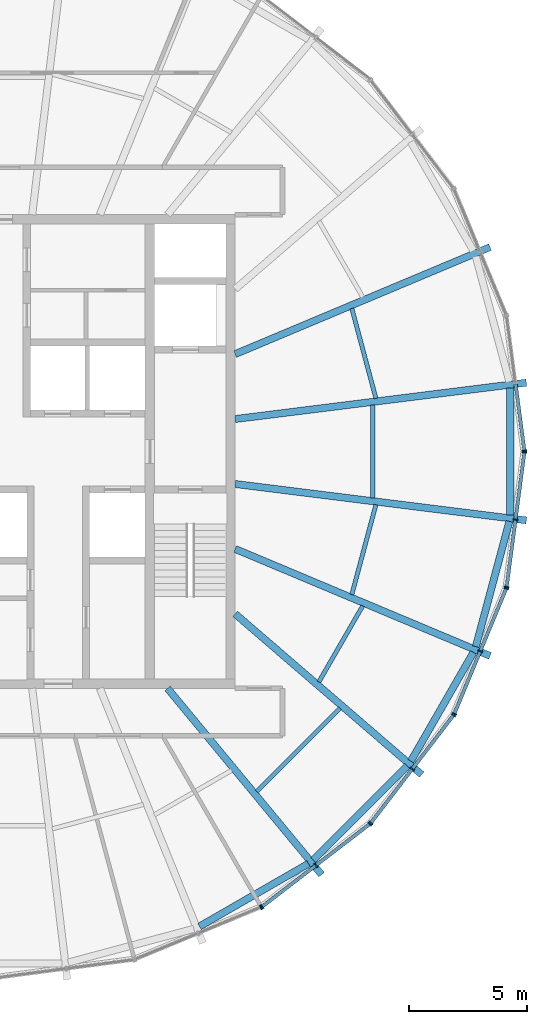
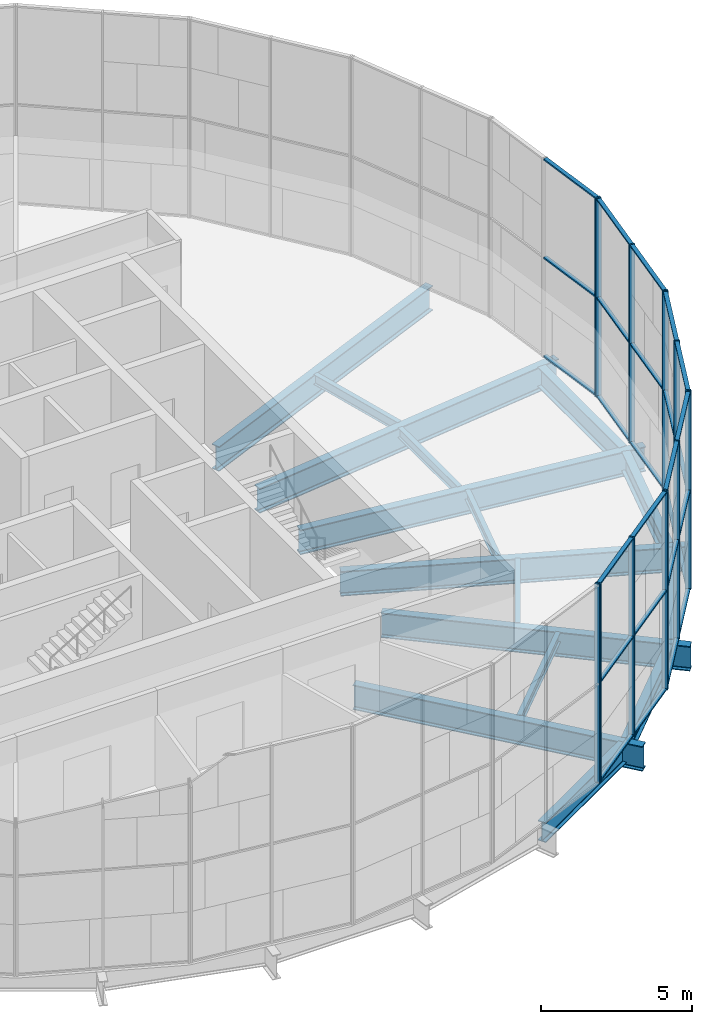
# One storey, part 4 of 19: 41 members, 16 beams, 6 elements without a shape of their own.
"""IFC4 building model written with IfcOpenShell, lengths in metres."""

from ifc_helpers import new_model, si_unit, direction, frame, origin, origin_2d, place, context, subcontext, project, spatial, rectangle, i_section, extrude, material, material_profile, profile_set, type_object, element, aggregate, save


model = new_model("IFC4")

# Units and contexts
model_context = context("Model", 3, precision=1e-05, world=origin(), true_north=direction((0.0, 1.0)))
body_context = subcontext(model_context, "Body", "Model", "MODEL_VIEW")
ifc_project = project(units=[si_unit("LENGTHUNIT", "METRE"), si_unit("AREAUNIT", "SQUARE_METRE"), si_unit("VOLUMEUNIT", "CUBIC_METRE"), si_unit("PLANEANGLEUNIT", "RADIAN"), si_unit("MASSUNIT", "GRAM", prefix="KILO")], contexts=[model_context])

# Site, building, storey
site_placement = place(None, origin())
site = spatial("IfcSite", under=ifc_project, at=site_placement, CompositionType="ELEMENT")
building_placement = place(site_placement, origin())
building = spatial("IfcBuilding", under=site, at=building_placement, Name="Golbaran Civic Tower", CompositionType="ELEMENT")
storey_placement = place(building_placement, frame((0.0, 0.0, 256.0)))
storey = spatial("IfcBuildingStorey", under=building, at=storey_placement, Name="L62", CompositionType="ELEMENT", Elevation=256.0)

# Beams
ifc_material_1 = material(Name="Steel S355", Category="steel")
ifc_material_profile_1 = material_profile(ifc_material_1, i_section(OverallWidth=0.300048828125, OverallDepth=0.800048828125, WebThickness=0.017578125, FlangeThickness=0.032958984375, FilletRadius=0.030029296875, at=origin_2d()), Name="HEB 800")
ifc_profile_set_1 = profile_set([ifc_material_profile_1], Name="Steel S355")
beam_type_1 = type_object("IfcBeamType", Name="EDGE BEAM HEB 800", PredefinedType="BEAM", material=ifc_profile_set_1)
beam_1_placement = place(storey_placement, frame((8.491943359375, -20.052490234375, -0.60009765625), z_axis=(0.866418166458, 0.499319097203, 0.0), x_axis=(-0.499319097203, 0.866418166458, 0.0)))
element("IfcBeam", 1, at=beam_1_placement, inside=storey, type_object=beam_type_1, Name="Edge beam 292.58 L62", PredefinedType="BEAM", context=body_context, shape_type="SweptSolid", body=[
    extrude(i_section(OverallWidth=0.300048828125, OverallDepth=0.800048828125, WebThickness=0.017578125, FlangeThickness=0.032958984375, FilletRadius=0.030029296875, at=origin_2d()), origin(), (0.0, 0.0, 1.0), 5.310546875),
])
beam_2_placement = place(storey_placement, frame((13.299560546875, -17.24267578125, -0.60009765625), z_axis=(0.706714343881, 0.707499000814, 0.0), x_axis=(-0.707499000814, 0.706714343881, 0.0)))
element("IfcBeam", 2, at=beam_2_placement, inside=storey, type_object=beam_type_1, Name="Edge beam 307.42 L62", PredefinedType="BEAM", context=body_context, shape_type="SweptSolid", body=[
    extrude(i_section(OverallWidth=0.300048828125, OverallDepth=0.800048828125, WebThickness=0.017578125, FlangeThickness=0.032958984375, FilletRadius=0.030029296875, at=origin_2d()), origin(), (0.0, 0.0, 1.0), 5.6005859375),
])
beam_3_placement = place(storey_placement, frame((17.41552734375, -13.0732421875, -0.60009765625), z_axis=(0.498581864812, 0.866842617827, 0.0), x_axis=(-0.866842617827, 0.498581864812, 0.0)))
element("IfcBeam", 3, at=beam_3_placement, inside=storey, type_object=beam_type_1, Name="Edge beam 322.58 L62", PredefinedType="BEAM", context=body_context, shape_type="SweptSolid", body=[
    extrude(i_section(OverallWidth=0.300048828125, OverallDepth=0.800048828125, WebThickness=0.017578125, FlangeThickness=0.032958984375, FilletRadius=0.030029296875, at=origin_2d()), origin(), (0.0, 0.0, 1.0), 5.3017578125),
])
beam_4_placement = place(storey_placement, frame((20.157958984375, -8.237060546875, -0.60009765625), z_axis=(0.258897277861, 0.965904860489, 0.0), x_axis=(-0.965904860489, 0.258897277861, 0.0)))
element("IfcBeam", 4, at=beam_4_placement, inside=storey, type_object=beam_type_1, Name="Edge beam 337.42 L62", PredefinedType="BEAM", context=body_context, shape_type="SweptSolid", body=[
    extrude(i_section(OverallWidth=0.300048828125, OverallDepth=0.800048828125, WebThickness=0.017578125, FlangeThickness=0.032958984375, FilletRadius=0.030029296875, at=origin_2d()), origin(), (0.0, 0.0, 1.0), 5.47607421875),
])
beam_5_placement = place(storey_placement, frame((21.609619140625, -2.68994140625, -0.60009765625), z_axis=(0.0, 1.0, 0.0), x_axis=(-1.0, 0.0, 0.0)))
element("IfcBeam", 5, at=beam_5_placement, inside=storey, type_object=beam_type_1, Name="Edge beam 352.58 L62", PredefinedType="BEAM", context=body_context, shape_type="SweptSolid", body=[
    extrude(i_section(OverallWidth=0.300048828125, OverallDepth=0.800048828125, WebThickness=0.017578125, FlangeThickness=0.032958984375, FilletRadius=0.030029296875, at=origin_2d()), origin(), (0.0, 0.0, 1.0), 5.3798828125),
])
ifc_material_profile_2 = material_profile(ifc_material_1, i_section(OverallWidth=0.179931640625, OverallDepth=0.39990234375, WebThickness=0.008544921875, FlangeThickness=0.013427734375, FilletRadius=0.02099609375, at=origin_2d()), Name="IPE 400")
ifc_profile_set_2 = profile_set([ifc_material_profile_2], Name="Steel S355")
beam_type_2 = type_object("IfcBeamType", Name="FLOOR INFILL BEAM IPE 400", PredefinedType="BEAM", material=ifc_profile_set_2)
beam_6_placement = place(storey_placement, frame((15.9404296875, 2.244140625, -0.39990234375), z_axis=(-0.258830285258, 0.965922814428, 0.0), x_axis=(-0.965922814428, -0.258830285258, 0.0)))
element("IfcBeam", 6, at=beam_6_placement, inside=storey, type_object=beam_type_2, Name="Infill beam 15.00 L62", PredefinedType="BEAM", context=body_context, shape_type="SweptSolid", body=[
    extrude(i_section(OverallWidth=0.179931640625, OverallDepth=0.39990234375, WebThickness=0.008544921875, FlangeThickness=0.013427734375, FilletRadius=0.02099609375, at=origin_2d()), origin(), (0.0, 0.0, 1.0), 3.929443359375),
])
beam_7_placement = place(storey_placement, frame((10.913330078125, -14.356689453125, -0.39990234375), z_axis=(0.707106781187, 0.707106781187, 0.0), x_axis=(-0.707106781187, 0.707106781187, 0.0)))
element("IfcBeam", 7, at=beam_7_placement, inside=storey, type_object=beam_type_2, Name="Infill beam 315.00 L62", PredefinedType="BEAM", context=body_context, shape_type="SweptSolid", body=[
    extrude(i_section(OverallWidth=0.179931640625, OverallDepth=0.39990234375, WebThickness=0.008544921875, FlangeThickness=0.013427734375, FilletRadius=0.02099609375, at=origin_2d()), origin(), (0.0, 0.0, 1.0), 4.9697265625),
])
beam_8_placement = place(storey_placement, frame((13.5302734375, -9.7265625, -0.39990234375), z_axis=(0.500005526257, 0.866022213175, 0.0), x_axis=(-0.866022213175, 0.500005526257, 0.0)))
element("IfcBeam", 8, at=beam_8_placement, inside=storey, type_object=beam_type_2, Name="Infill beam 330.00 L62", PredefinedType="BEAM", context=body_context, shape_type="SweptSolid", body=[
    extrude(i_section(OverallWidth=0.179931640625, OverallDepth=0.39990234375, WebThickness=0.008544921875, FlangeThickness=0.013427734375, FilletRadius=0.02099609375, at=origin_2d()), origin(), (0.0, 0.0, 1.0), 3.7080078125),
])
beam_9_placement = place(storey_placement, frame((14.92333984375, -6.039794921875, -0.39990234375), z_axis=(0.258830285258, 0.965922814428, 0.0), x_axis=(-0.965922814428, 0.258830285258, 0.0)))
element("IfcBeam", 9, at=beam_9_placement, inside=storey, type_object=beam_type_2, Name="Infill beam 345.00 L62", PredefinedType="BEAM", context=body_context, shape_type="SweptSolid", body=[
    extrude(i_section(OverallWidth=0.179931640625, OverallDepth=0.39990234375, WebThickness=0.008544921875, FlangeThickness=0.013427734375, FilletRadius=0.02099609375, at=origin_2d()), origin(), (0.0, 0.0, 1.0), 3.929443359375),
])
beam_10_placement = place(storey_placement, frame((15.8046875, -1.96533203125, -0.39990234375), z_axis=(0.0, 1.0, 0.0), x_axis=(-1.0, 0.0, 0.0)))
element("IfcBeam", 10, at=beam_10_placement, inside=storey, type_object=beam_type_2, Name="Infill beam 0.00 L62", PredefinedType="BEAM", context=body_context, shape_type="SweptSolid", body=[
    extrude(i_section(OverallWidth=0.179931640625, OverallDepth=0.39990234375, WebThickness=0.008544921875, FlangeThickness=0.013427734375, FilletRadius=0.02099609375, at=origin_2d()), origin(), (0.0, 0.0, 1.0), 3.9306640625),
])

# Curtain wall, member
ifc_material_2 = material(Name="Aluminium and glass", Category="aluminium")
curtain_wall_type = type_object("IfcCurtainWallType", Name="INNER SKIN CURTAIN WALL EXECUTIVE", PredefinedType="NOTDEFINED", material=ifc_material_2)
curtain_wall_1_placement = place(storey_placement, origin())
curtain_wall_1 = element("IfcCurtainWall", 11, at=curtain_wall_1_placement, inside=storey, type_object=curtain_wall_type, Name="Inner skin L62 facet 1 CW2", ObjectType="INNER SKIN", PredefinedType="USERDEFINED")
ifc_material_3 = material(Name="Aluminium", Category="aluminium")
ifc_material_profile_3 = material_profile(ifc_material_3, rectangle(XDim=0.199951171875, YDim=0.06005859375, at=origin_2d()), Name="INNER SKIN CURTAIN WALL EXECUTIVE MULLION")
ifc_profile_set_3 = profile_set([ifc_material_profile_3], Name="Aluminium")
member_type_1 = type_object("IfcMemberType", Name="INNER SKIN CURTAIN WALL EXECUTIVE MULLION", PredefinedType="MULLION", material=ifc_profile_set_3)
member_1_placement = place(storey_placement, frame((22.208984375, 0.02978515625, 0.0), z_axis=(0.0, 0.0, 1.0), x_axis=(-0.991444861367, -0.130526192272, 0.0)))
member_1 = element("IfcMember", 12, at=member_1_placement, type_object=member_type_1, Name="CW2 mullion 1", PredefinedType="MULLION", context=body_context, shape_type="SweptSolid", body=[
    extrude(rectangle(XDim=0.199951171875, YDim=0.06005859375, at=origin_2d()), origin(), (0.0, 0.0, 1.0), 8.0),
])

curtain_wall_2_placement = place(storey_placement, origin())
curtain_wall_2 = element("IfcCurtainWall", 13, at=curtain_wall_2_placement, inside=storey, type_object=curtain_wall_type, Name="Inner skin L62 facet 20 CW2", ObjectType="INNER SKIN", PredefinedType="USERDEFINED")
member_2_placement = place(storey_placement, frame((11.078857421875, -19.24853515625, 0.0), z_axis=(0.0, 0.0, 1.0), x_axis=(-0.382683432365, 0.923879532511, 0.0)))
member_2 = element("IfcMember", 14, at=member_2_placement, type_object=member_type_1, Name="CW2 mullion 3", PredefinedType="MULLION", context=body_context, shape_type="SweptSolid", body=[
    extrude(rectangle(XDim=0.199951171875, YDim=0.06005859375, at=origin_2d()), origin(), (0.0, 0.0, 1.0), 8.0),
])
aggregate(curtain_wall_2, [member_2])

# Curtain wall, members
curtain_wall_3_placement = place(storey_placement, origin())
curtain_wall_3 = element("IfcCurtainWall", 15, at=curtain_wall_3_placement, inside=storey, type_object=curtain_wall_type, Name="Inner skin L62 facet 21 CW2", ObjectType="INNER SKIN", PredefinedType="USERDEFINED")
member_3_placement = place(storey_placement, frame((11.13037109375, -19.21875, 0.0), z_axis=(0.0, 0.0, 1.0), x_axis=(-0.608761429078, 0.793353340238, 0.0)))
member_3 = element("IfcMember", 16, at=member_3_placement, type_object=member_type_1, Name="CW2 mullion 1", PredefinedType="MULLION", context=body_context, shape_type="SweptSolid", body=[
    extrude(rectangle(XDim=0.199951171875, YDim=0.06005859375, at=origin_2d()), origin(), (0.0, 0.0, 1.0), 8.0),
])
member_4_placement = place(storey_placement, frame((13.40673828125, -17.471923828125, 0.0), z_axis=(0.0, 0.0, 1.0), x_axis=(-0.608761429078, 0.793353340238, 0.0)))
member_4 = element("IfcMember", 17, at=member_4_placement, type_object=member_type_1, Name="CW2 mullion 2", PredefinedType="MULLION", context=body_context, shape_type="SweptSolid", body=[
    extrude(rectangle(XDim=0.199951171875, YDim=0.06005859375, at=origin_2d()), origin(), (0.0, 0.0, 1.0), 8.0),
])
member_5_placement = place(storey_placement, frame((15.68310546875, -15.725341796875, 0.0), z_axis=(0.0, 0.0, 1.0), x_axis=(-0.608761429078, 0.793353340238, 0.0)))
member_5 = element("IfcMember", 18, at=member_5_placement, type_object=member_type_1, Name="CW2 mullion 3", PredefinedType="MULLION", context=body_context, shape_type="SweptSolid", body=[
    extrude(rectangle(XDim=0.199951171875, YDim=0.06005859375, at=origin_2d()), origin(), (0.0, 0.0, 1.0), 8.0),
])

curtain_wall_4_placement = place(storey_placement, origin())
curtain_wall_4 = element("IfcCurtainWall", 19, at=curtain_wall_4_placement, inside=storey, type_object=curtain_wall_type, Name="Inner skin L62 facet 22 CW2", ObjectType="INNER SKIN", PredefinedType="USERDEFINED")
member_6_placement = place(storey_placement, frame((15.725341796875, -15.68310546875, 0.0), z_axis=(0.0, 0.0, 1.0), x_axis=(-0.793353340238, 0.608761429078, 0.0)))
member_6 = element("IfcMember", 20, at=member_6_placement, type_object=member_type_1, Name="CW2 mullion 1", PredefinedType="MULLION", context=body_context, shape_type="SweptSolid", body=[
    extrude(rectangle(XDim=0.199951171875, YDim=0.06005859375, at=origin_2d()), origin(), (0.0, 0.0, 1.0), 8.0),
])
member_7_placement = place(storey_placement, frame((17.471923828125, -13.40673828125, 0.0), z_axis=(0.0, 0.0, 1.0), x_axis=(-0.793353340238, 0.608761429078, 0.0)))
member_7 = element("IfcMember", 21, at=member_7_placement, type_object=member_type_1, Name="CW2 mullion 2", PredefinedType="MULLION", context=body_context, shape_type="SweptSolid", body=[
    extrude(rectangle(XDim=0.199951171875, YDim=0.06005859375, at=origin_2d()), origin(), (0.0, 0.0, 1.0), 8.0),
])
member_8_placement = place(storey_placement, frame((19.21875, -11.13037109375, 0.0), z_axis=(0.0, 0.0, 1.0), x_axis=(-0.793353340238, 0.608761429078, 0.0)))
member_8 = element("IfcMember", 22, at=member_8_placement, type_object=member_type_1, Name="CW2 mullion 3", PredefinedType="MULLION", context=body_context, shape_type="SweptSolid", body=[
    extrude(rectangle(XDim=0.199951171875, YDim=0.06005859375, at=origin_2d()), origin(), (0.0, 0.0, 1.0), 8.0),
])

curtain_wall_5_placement = place(storey_placement, origin())
curtain_wall_5 = element("IfcCurtainWall", 23, at=curtain_wall_5_placement, inside=storey, type_object=curtain_wall_type, Name="Inner skin L62 facet 23 CW2", ObjectType="INNER SKIN", PredefinedType="USERDEFINED")
member_9_placement = place(storey_placement, frame((19.24853515625, -11.078857421875, 0.0), z_axis=(0.0, 0.0, 1.0), x_axis=(-0.923879532511, 0.382683432365, 0.0)))
member_9 = element("IfcMember", 24, at=member_9_placement, type_object=member_type_1, Name="CW2 mullion 1", PredefinedType="MULLION", context=body_context, shape_type="SweptSolid", body=[
    extrude(rectangle(XDim=0.199951171875, YDim=0.06005859375, at=origin_2d()), origin(), (0.0, 0.0, 1.0), 8.0),
])
member_10_placement = place(storey_placement, frame((20.3466796875, -8.427734375, 0.0), z_axis=(0.0, 0.0, 1.0), x_axis=(-0.923879532511, 0.382683432365, 0.0)))
member_10 = element("IfcMember", 25, at=member_10_placement, type_object=member_type_1, Name="CW2 mullion 2", PredefinedType="MULLION", context=body_context, shape_type="SweptSolid", body=[
    extrude(rectangle(XDim=0.199951171875, YDim=0.06005859375, at=origin_2d()), origin(), (0.0, 0.0, 1.0), 8.0),
])
member_11_placement = place(storey_placement, frame((21.444580078125, -5.77685546875, 0.0), z_axis=(0.0, 0.0, 1.0), x_axis=(-0.923879532511, 0.382683432365, 0.0)))
member_11 = element("IfcMember", 26, at=member_11_placement, type_object=member_type_1, Name="CW2 mullion 3", PredefinedType="MULLION", context=body_context, shape_type="SweptSolid", body=[
    extrude(rectangle(XDim=0.199951171875, YDim=0.06005859375, at=origin_2d()), origin(), (0.0, 0.0, 1.0), 8.0),
])

curtain_wall_6_placement = place(storey_placement, origin())
curtain_wall_6 = element("IfcCurtainWall", 27, at=curtain_wall_6_placement, inside=storey, type_object=curtain_wall_type, Name="Inner skin L62 facet 24 CW2", ObjectType="INNER SKIN", PredefinedType="USERDEFINED")
member_12_placement = place(storey_placement, frame((21.4599609375, -5.719482421875, 0.0), z_axis=(0.0, 0.0, 1.0), x_axis=(-0.991444861367, 0.130526192272, 0.0)))
member_12 = element("IfcMember", 28, at=member_12_placement, type_object=member_type_1, Name="CW2 mullion 1", PredefinedType="MULLION", context=body_context, shape_type="SweptSolid", body=[
    extrude(rectangle(XDim=0.199951171875, YDim=0.06005859375, at=origin_2d()), origin(), (0.0, 0.0, 1.0), 8.0),
])
member_13_placement = place(storey_placement, frame((21.83447265625, -2.87451171875, 0.0), z_axis=(0.0, 0.0, 1.0), x_axis=(-0.991444861367, 0.130526192272, 0.0)))
member_13 = element("IfcMember", 29, at=member_13_placement, type_object=member_type_1, Name="CW2 mullion 2", PredefinedType="MULLION", context=body_context, shape_type="SweptSolid", body=[
    extrude(rectangle(XDim=0.199951171875, YDim=0.06005859375, at=origin_2d()), origin(), (0.0, 0.0, 1.0), 8.0),
])
member_14_placement = place(storey_placement, frame((22.208984375, -0.02978515625, 0.0), z_axis=(0.0, 0.0, 1.0), x_axis=(-0.991444861367, 0.130526192272, 0.0)))
member_14 = element("IfcMember", 30, at=member_14_placement, type_object=member_type_1, Name="CW2 mullion 3", PredefinedType="MULLION", context=body_context, shape_type="SweptSolid", body=[
    extrude(rectangle(XDim=0.199951171875, YDim=0.06005859375, at=origin_2d()), origin(), (0.0, 0.0, 1.0), 8.0),
])

# Member
ifc_material_profile_4 = material_profile(ifc_material_3, rectangle(XDim=0.14990234375, YDim=0.06005859375, at=origin_2d()), Name="INNER SKIN CURTAIN WALL EXECUTIVE TRANSOM")
ifc_profile_set_4 = profile_set([ifc_material_profile_4], Name="Aluminium")
member_type_2 = type_object("IfcMemberType", Name="INNER SKIN CURTAIN WALL EXECUTIVE TRANSOM", PredefinedType="USERDEFINED", material=ifc_profile_set_4)
member_15_placement = place(storey_placement, frame((22.205078125, 0.0595703125, 0.030029296875), z_axis=(-0.130535444612, 0.991443643229, 0.0), x_axis=(-0.991443643229, -0.130535444612, 0.0)))
member_15 = element("IfcMember", 31, at=member_15_placement, type_object=member_type_2, Name="CW2 transom 1.1", ObjectType="TRANSOM", PredefinedType="USERDEFINED", context=body_context, shape_type="SweptSolid", body=[
    extrude(rectangle(XDim=0.14990234375, YDim=0.06005859375, at=origin_2d()), origin(), (0.0, 0.0, 1.0), 2.80908203125),
])

member_16_placement = place(storey_placement, frame((22.205078125, 0.0595703125, 4.0), z_axis=(-0.130535444612, 0.991443643229, 0.0), x_axis=(-0.991443643229, -0.130535444612, 0.0)))
member_16 = element("IfcMember", 32, at=member_16_placement, type_object=member_type_2, Name="CW2 transom 1.2", ObjectType="TRANSOM", PredefinedType="USERDEFINED", context=body_context, shape_type="SweptSolid", body=[
    extrude(rectangle(XDim=0.14990234375, YDim=0.06005859375, at=origin_2d()), origin(), (0.0, 0.0, 1.0), 2.80908203125),
])

member_17_placement = place(storey_placement, frame((22.205078125, 0.0595703125, 7.969970703125), z_axis=(-0.130535444612, 0.991443643229, 0.0), x_axis=(-0.991443643229, -0.130535444612, 0.0)))
member_17 = element("IfcMember", 33, at=member_17_placement, type_object=member_type_2, Name="CW2 transom 1.3", ObjectType="TRANSOM", PredefinedType="USERDEFINED", context=body_context, shape_type="SweptSolid", body=[
    extrude(rectangle(XDim=0.14990234375, YDim=0.06005859375, at=origin_2d()), origin(), (0.0, 0.0, 1.0), 2.80908203125),
])

aggregate(curtain_wall_1, [member_1, member_15, member_16, member_17])

member_18_placement = place(storey_placement, frame((11.154052734375, -19.200439453125, 0.030029296875), z_axis=(0.793350321401, 0.608765363283, 0.0), x_axis=(-0.608765363283, 0.793350321401, 0.0)))
member_18 = element("IfcMember", 34, at=member_18_placement, type_object=member_type_2, Name="CW2 transom 1.1", ObjectType="TRANSOM", PredefinedType="USERDEFINED", context=body_context, shape_type="SweptSolid", body=[
    extrude(rectangle(XDim=0.14990234375, YDim=0.06005859375, at=origin_2d()), origin(), (0.0, 0.0, 1.0), 2.809326171875),
])

member_19_placement = place(storey_placement, frame((11.154052734375, -19.200439453125, 4.0), z_axis=(0.793350321401, 0.608765363283, 0.0), x_axis=(-0.608765363283, 0.793350321401, 0.0)))
member_19 = element("IfcMember", 35, at=member_19_placement, type_object=member_type_2, Name="CW2 transom 1.2", ObjectType="TRANSOM", PredefinedType="USERDEFINED", context=body_context, shape_type="SweptSolid", body=[
    extrude(rectangle(XDim=0.14990234375, YDim=0.06005859375, at=origin_2d()), origin(), (0.0, 0.0, 1.0), 2.809326171875),
])

member_20_placement = place(storey_placement, frame((11.154052734375, -19.200439453125, 7.969970703125), z_axis=(0.793350321401, 0.608765363283, 0.0), x_axis=(-0.608765363283, 0.793350321401, 0.0)))
member_20 = element("IfcMember", 36, at=member_20_placement, type_object=member_type_2, Name="CW2 transom 1.3", ObjectType="TRANSOM", PredefinedType="USERDEFINED", context=body_context, shape_type="SweptSolid", body=[
    extrude(rectangle(XDim=0.14990234375, YDim=0.06005859375, at=origin_2d()), origin(), (0.0, 0.0, 1.0), 2.809326171875),
])

member_21_placement = place(storey_placement, frame((13.430419921875, -17.45361328125, 0.030029296875), z_axis=(0.793382524432, 0.608723393608, 0.0), x_axis=(-0.608723393608, 0.793382524432, 0.0)))
member_21 = element("IfcMember", 37, at=member_21_placement, type_object=member_type_2, Name="CW2 transom 2.1", ObjectType="TRANSOM", PredefinedType="USERDEFINED", context=body_context, shape_type="SweptSolid", body=[
    extrude(rectangle(XDim=0.14990234375, YDim=0.06005859375, at=origin_2d()), origin(), (0.0, 0.0, 1.0), 2.8095703125),
])

member_22_placement = place(storey_placement, frame((13.430419921875, -17.45361328125, 4.0), z_axis=(0.793382524432, 0.608723393608, 0.0), x_axis=(-0.608723393608, 0.793382524432, 0.0)))
member_22 = element("IfcMember", 38, at=member_22_placement, type_object=member_type_2, Name="CW2 transom 2.2", ObjectType="TRANSOM", PredefinedType="USERDEFINED", context=body_context, shape_type="SweptSolid", body=[
    extrude(rectangle(XDim=0.14990234375, YDim=0.06005859375, at=origin_2d()), origin(), (0.0, 0.0, 1.0), 2.8095703125),
])

member_23_placement = place(storey_placement, frame((13.430419921875, -17.45361328125, 7.969970703125), z_axis=(0.793382524432, 0.608723393608, 0.0), x_axis=(-0.608723393608, 0.793382524432, 0.0)))
member_23 = element("IfcMember", 39, at=member_23_placement, type_object=member_type_2, Name="CW2 transom 2.3", ObjectType="TRANSOM", PredefinedType="USERDEFINED", context=body_context, shape_type="SweptSolid", body=[
    extrude(rectangle(XDim=0.14990234375, YDim=0.06005859375, at=origin_2d()), origin(), (0.0, 0.0, 1.0), 2.8095703125),
])

aggregate(curtain_wall_3, [member_3, member_4, member_5, member_18, member_19, member_20, member_21, member_22, member_23])

member_24_placement = place(storey_placement, frame((15.743408203125, -15.659423828125, 0.030029296875), z_axis=(0.608723393608, 0.793382524432, 0.0), x_axis=(-0.793382524432, 0.608723393608, 0.0)))
member_24 = element("IfcMember", 40, at=member_24_placement, type_object=member_type_2, Name="CW2 transom 1.1", ObjectType="TRANSOM", PredefinedType="USERDEFINED", context=body_context, shape_type="SweptSolid", body=[
    extrude(rectangle(XDim=0.14990234375, YDim=0.06005859375, at=origin_2d()), origin(), (0.0, 0.0, 1.0), 2.8095703125),
])

member_25_placement = place(storey_placement, frame((15.743408203125, -15.659423828125, 4.0), z_axis=(0.608723393608, 0.793382524432, 0.0), x_axis=(-0.793382524432, 0.608723393608, 0.0)))
member_25 = element("IfcMember", 41, at=member_25_placement, type_object=member_type_2, Name="CW2 transom 1.2", ObjectType="TRANSOM", PredefinedType="USERDEFINED", context=body_context, shape_type="SweptSolid", body=[
    extrude(rectangle(XDim=0.14990234375, YDim=0.06005859375, at=origin_2d()), origin(), (0.0, 0.0, 1.0), 2.8095703125),
])

member_26_placement = place(storey_placement, frame((15.743408203125, -15.659423828125, 7.969970703125), z_axis=(0.608723393608, 0.793382524432, 0.0), x_axis=(-0.793382524432, 0.608723393608, 0.0)))
member_26 = element("IfcMember", 42, at=member_26_placement, type_object=member_type_2, Name="CW2 transom 1.3", ObjectType="TRANSOM", PredefinedType="USERDEFINED", context=body_context, shape_type="SweptSolid", body=[
    extrude(rectangle(XDim=0.14990234375, YDim=0.06005859375, at=origin_2d()), origin(), (0.0, 0.0, 1.0), 2.8095703125),
])

member_27_placement = place(storey_placement, frame((17.490234375, -13.3828125, 0.030029296875), z_axis=(0.608765363283, 0.793350321401, 0.0), x_axis=(-0.793350321401, 0.608765363283, 0.0)))
member_27 = element("IfcMember", 43, at=member_27_placement, type_object=member_type_2, Name="CW2 transom 2.1", ObjectType="TRANSOM", PredefinedType="USERDEFINED", context=body_context, shape_type="SweptSolid", body=[
    extrude(rectangle(XDim=0.14990234375, YDim=0.06005859375, at=origin_2d()), origin(), (0.0, 0.0, 1.0), 2.809326171875),
])

member_28_placement = place(storey_placement, frame((17.490234375, -13.3828125, 4.0), z_axis=(0.608765363283, 0.793350321401, 0.0), x_axis=(-0.793350321401, 0.608765363283, 0.0)))
member_28 = element("IfcMember", 44, at=member_28_placement, type_object=member_type_2, Name="CW2 transom 2.2", ObjectType="TRANSOM", PredefinedType="USERDEFINED", context=body_context, shape_type="SweptSolid", body=[
    extrude(rectangle(XDim=0.14990234375, YDim=0.06005859375, at=origin_2d()), origin(), (0.0, 0.0, 1.0), 2.809326171875),
])

member_29_placement = place(storey_placement, frame((17.490234375, -13.3828125, 7.969970703125), z_axis=(0.608765363283, 0.793350321401, 0.0), x_axis=(-0.793350321401, 0.608765363283, 0.0)))
member_29 = element("IfcMember", 45, at=member_29_placement, type_object=member_type_2, Name="CW2 transom 2.3", ObjectType="TRANSOM", PredefinedType="USERDEFINED", context=body_context, shape_type="SweptSolid", body=[
    extrude(rectangle(XDim=0.14990234375, YDim=0.06005859375, at=origin_2d()), origin(), (0.0, 0.0, 1.0), 2.809326171875),
])

aggregate(curtain_wall_4, [member_6, member_7, member_8, member_24, member_25, member_26, member_27, member_28, member_29])

member_30_placement = place(storey_placement, frame((19.260009765625, -11.051025390625, 0.030029296875), z_axis=(0.382720195168, 0.923864304003, 0.0), x_axis=(-0.923864304003, 0.382720195168, 0.0)))
member_30 = element("IfcMember", 46, at=member_30_placement, type_object=member_type_2, Name="CW2 transom 1.1", ObjectType="TRANSOM", PredefinedType="USERDEFINED", context=body_context, shape_type="SweptSolid", body=[
    extrude(rectangle(XDim=0.14990234375, YDim=0.06005859375, at=origin_2d()), origin(), (0.0, 0.0, 1.0), 2.809326171875),
])

member_31_placement = place(storey_placement, frame((19.260009765625, -11.051025390625, 4.0), z_axis=(0.382720195168, 0.923864304003, 0.0), x_axis=(-0.923864304003, 0.382720195168, 0.0)))
member_31 = element("IfcMember", 47, at=member_31_placement, type_object=member_type_2, Name="CW2 transom 1.2", ObjectType="TRANSOM", PredefinedType="USERDEFINED", context=body_context, shape_type="SweptSolid", body=[
    extrude(rectangle(XDim=0.14990234375, YDim=0.06005859375, at=origin_2d()), origin(), (0.0, 0.0, 1.0), 2.809326171875),
])

member_32_placement = place(storey_placement, frame((19.260009765625, -11.051025390625, 7.969970703125), z_axis=(0.382720195168, 0.923864304003, 0.0), x_axis=(-0.923864304003, 0.382720195168, 0.0)))
member_32 = element("IfcMember", 48, at=member_32_placement, type_object=member_type_2, Name="CW2 transom 1.3", ObjectType="TRANSOM", PredefinedType="USERDEFINED", context=body_context, shape_type="SweptSolid", body=[
    extrude(rectangle(XDim=0.14990234375, YDim=0.06005859375, at=origin_2d()), origin(), (0.0, 0.0, 1.0), 2.809326171875),
])

member_33_placement = place(storey_placement, frame((20.358154296875, -8.400146484375, 0.030029296875), z_axis=(0.382646017682, 0.923895029293, 0.0), x_axis=(-0.923895029293, 0.382646017682, 0.0)))
member_33 = element("IfcMember", 49, at=member_33_placement, type_object=member_type_2, Name="CW2 transom 2.1", ObjectType="TRANSOM", PredefinedType="USERDEFINED", context=body_context, shape_type="SweptSolid", body=[
    extrude(rectangle(XDim=0.14990234375, YDim=0.06005859375, at=origin_2d()), origin(), (0.0, 0.0, 1.0), 2.809326171875),
])

member_34_placement = place(storey_placement, frame((20.358154296875, -8.400146484375, 4.0), z_axis=(0.382646017682, 0.923895029293, 0.0), x_axis=(-0.923895029293, 0.382646017682, 0.0)))
member_34 = element("IfcMember", 50, at=member_34_placement, type_object=member_type_2, Name="CW2 transom 2.2", ObjectType="TRANSOM", PredefinedType="USERDEFINED", context=body_context, shape_type="SweptSolid", body=[
    extrude(rectangle(XDim=0.14990234375, YDim=0.06005859375, at=origin_2d()), origin(), (0.0, 0.0, 1.0), 2.809326171875),
])

member_35_placement = place(storey_placement, frame((20.358154296875, -8.400146484375, 7.969970703125), z_axis=(0.382646017682, 0.923895029293, 0.0), x_axis=(-0.923895029293, 0.382646017682, 0.0)))
member_35 = element("IfcMember", 51, at=member_35_placement, type_object=member_type_2, Name="CW2 transom 2.3", ObjectType="TRANSOM", PredefinedType="USERDEFINED", context=body_context, shape_type="SweptSolid", body=[
    extrude(rectangle(XDim=0.14990234375, YDim=0.06005859375, at=origin_2d()), origin(), (0.0, 0.0, 1.0), 2.809326171875),
])

aggregate(curtain_wall_5, [member_9, member_10, member_11, member_30, member_31, member_32, member_33, member_34, member_35])

member_36_placement = place(storey_placement, frame((21.4638671875, -5.689697265625, 0.030029296875), z_axis=(0.130524198098, 0.991445123903, 0.0), x_axis=(-0.991445123903, 0.130524198098, 0.0)))
member_36 = element("IfcMember", 52, at=member_36_placement, type_object=member_type_2, Name="CW2 transom 1.1", ObjectType="TRANSOM", PredefinedType="USERDEFINED", context=body_context, shape_type="SweptSolid", body=[
    extrude(rectangle(XDim=0.14990234375, YDim=0.06005859375, at=origin_2d()), origin(), (0.0, 0.0, 1.0), 2.809326171875),
])

member_37_placement = place(storey_placement, frame((21.4638671875, -5.689697265625, 4.0), z_axis=(0.130524198098, 0.991445123903, 0.0), x_axis=(-0.991445123903, 0.130524198098, 0.0)))
member_37 = element("IfcMember", 53, at=member_37_placement, type_object=member_type_2, Name="CW2 transom 1.2", ObjectType="TRANSOM", PredefinedType="USERDEFINED", context=body_context, shape_type="SweptSolid", body=[
    extrude(rectangle(XDim=0.14990234375, YDim=0.06005859375, at=origin_2d()), origin(), (0.0, 0.0, 1.0), 2.809326171875),
])

member_38_placement = place(storey_placement, frame((21.4638671875, -5.689697265625, 7.969970703125), z_axis=(0.130524198098, 0.991445123903, 0.0), x_axis=(-0.991445123903, 0.130524198098, 0.0)))
member_38 = element("IfcMember", 54, at=member_38_placement, type_object=member_type_2, Name="CW2 transom 1.3", ObjectType="TRANSOM", PredefinedType="USERDEFINED", context=body_context, shape_type="SweptSolid", body=[
    extrude(rectangle(XDim=0.14990234375, YDim=0.06005859375, at=origin_2d()), origin(), (0.0, 0.0, 1.0), 2.809326171875),
])

member_39_placement = place(storey_placement, frame((21.83837890625, -2.8447265625, 0.030029296875), z_axis=(0.130535444612, 0.991443643229, 0.0), x_axis=(-0.991443643229, 0.130535444612, 0.0)))
member_39 = element("IfcMember", 55, at=member_39_placement, type_object=member_type_2, Name="CW2 transom 2.1", ObjectType="TRANSOM", PredefinedType="USERDEFINED", context=body_context, shape_type="SweptSolid", body=[
    extrude(rectangle(XDim=0.14990234375, YDim=0.06005859375, at=origin_2d()), origin(), (0.0, 0.0, 1.0), 2.80908203125),
])

member_40_placement = place(storey_placement, frame((21.83837890625, -2.8447265625, 4.0), z_axis=(0.130535444612, 0.991443643229, 0.0), x_axis=(-0.991443643229, 0.130535444612, 0.0)))
member_40 = element("IfcMember", 56, at=member_40_placement, type_object=member_type_2, Name="CW2 transom 2.2", ObjectType="TRANSOM", PredefinedType="USERDEFINED", context=body_context, shape_type="SweptSolid", body=[
    extrude(rectangle(XDim=0.14990234375, YDim=0.06005859375, at=origin_2d()), origin(), (0.0, 0.0, 1.0), 2.80908203125),
])

member_41_placement = place(storey_placement, frame((21.83837890625, -2.8447265625, 7.969970703125), z_axis=(0.130535444612, 0.991443643229, 0.0), x_axis=(-0.991443643229, 0.130535444612, 0.0)))
member_41 = element("IfcMember", 57, at=member_41_placement, type_object=member_type_2, Name="CW2 transom 2.3", ObjectType="TRANSOM", PredefinedType="USERDEFINED", context=body_context, shape_type="SweptSolid", body=[
    extrude(rectangle(XDim=0.14990234375, YDim=0.06005859375, at=origin_2d()), origin(), (0.0, 0.0, 1.0), 2.80908203125),
])

aggregate(curtain_wall_6, [member_12, member_13, member_14, member_36, member_37, member_38, member_39, member_40, member_41])

# Beams
ifc_material_profile_5 = material_profile(ifc_material_1, i_section(OverallWidth=0.300048828125, OverallDepth=1.0, WebThickness=0.01904296875, FlangeThickness=0.035888671875, FilletRadius=0.030029296875, at=origin_2d()), Name="HEB 1000")
ifc_profile_set_5 = profile_set([ifc_material_profile_5], Name="Steel S355")
beam_type_3 = type_object("IfcBeamType", Name="RADIAL FLOOR BEAM HEB 1000", PredefinedType="BEAM", material=ifc_profile_set_5)
beam_11_placement = place(storey_placement, frame((10.0, 1.371337890625, -0.7099609375), z_axis=(0.992293333054, 0.123911021211, 0.0), x_axis=(-0.123911021211, 0.992293333054, 0.0)))
element("IfcBeam", 58, at=beam_11_placement, inside=storey, type_object=beam_type_3, Name="Radial beam 7.42 L62", PredefinedType="BEAM", context=body_context, shape_type="SweptSolid", body=[
    extrude(i_section(OverallWidth=0.300048828125, OverallDepth=1.0, WebThickness=0.01904296875, FlangeThickness=0.035888671875, FilletRadius=0.030029296875, at=origin_2d()), origin(), (0.0, 0.0, 1.0), 12.38720703125),
])
beam_12_placement = place(storey_placement, frame((10.0, 4.1142578125, -0.7099609375), z_axis=(0.922066502889, 0.387031477078, 0.0), x_axis=(-0.387031477078, 0.922066502889, 0.0)))
element("IfcBeam", 59, at=beam_12_placement, inside=storey, type_object=beam_type_3, Name="Radial beam 22.58 L62", PredefinedType="BEAM", context=body_context, shape_type="SweptSolid", body=[
    extrude(i_section(OverallWidth=0.300048828125, OverallDepth=1.0, WebThickness=0.01904296875, FlangeThickness=0.035888671875, FilletRadius=0.030029296875, at=origin_2d()), origin(), (0.0, 0.0, 1.0), 11.667236328125),
])
beam_13_placement = place(storey_placement, frame((7.142822265625, -10.0, -0.7099609375), z_axis=(0.637203438568, -0.770695645425, 0.0), x_axis=(0.770695645425, 0.637203438568, 0.0)))
element("IfcBeam", 60, at=beam_13_placement, inside=storey, type_object=beam_type_3, Name="Radial beam 307.42 L62", PredefinedType="BEAM", context=body_context, shape_type="SweptSolid", body=[
    extrude(i_section(OverallWidth=0.300048828125, OverallDepth=1.0, WebThickness=0.01904296875, FlangeThickness=0.035888671875, FilletRadius=0.030029296875, at=origin_2d()), origin(), (0.0, 0.0, 1.0), 10.20703125),
])
beam_14_placement = place(storey_placement, frame((10.0, -6.857177734375, -0.7099609375), z_axis=(0.757663917113, -0.65264491778, 0.0), x_axis=(0.65264491778, 0.757663917113, 0.0)))
element("IfcBeam", 61, at=beam_14_placement, inside=storey, type_object=beam_type_3, Name="Radial beam 322.58 L62", PredefinedType="BEAM", context=body_context, shape_type="SweptSolid", body=[
    extrude(i_section(OverallWidth=0.300048828125, OverallDepth=1.0, WebThickness=0.01904296875, FlangeThickness=0.035888671875, FilletRadius=0.030029296875, at=origin_2d()), origin(), (0.0, 0.0, 1.0), 10.3916015625),
])
beam_15_placement = place(storey_placement, frame((10.0, -4.1142578125, -0.7099609375), z_axis=(0.922066502889, -0.387031477078, 0.0), x_axis=(0.387031477078, 0.922066502889, 0.0)))
element("IfcBeam", 62, at=beam_15_placement, inside=storey, type_object=beam_type_3, Name="Radial beam 337.42 L62", PredefinedType="BEAM", context=body_context, shape_type="SweptSolid", body=[
    extrude(i_section(OverallWidth=0.300048828125, OverallDepth=1.0, WebThickness=0.01904296875, FlangeThickness=0.035888671875, FilletRadius=0.030029296875, at=origin_2d()), origin(), (0.0, 0.0, 1.0), 11.667236328125),
])
beam_16_placement = place(storey_placement, frame((10.0, -1.371337890625, -0.7099609375), z_axis=(0.992293333054, -0.123911021211, 0.0), x_axis=(0.123911021211, 0.992293333054, 0.0)))
element("IfcBeam", 63, at=beam_16_placement, inside=storey, type_object=beam_type_3, Name="Radial beam 352.58 L62", PredefinedType="BEAM", context=body_context, shape_type="SweptSolid", body=[
    extrude(i_section(OverallWidth=0.300048828125, OverallDepth=1.0, WebThickness=0.01904296875, FlangeThickness=0.035888671875, FilletRadius=0.030029296875, at=origin_2d()), origin(), (0.0, 0.0, 1.0), 12.38720703125),
])

save(model, "model.ifc")
